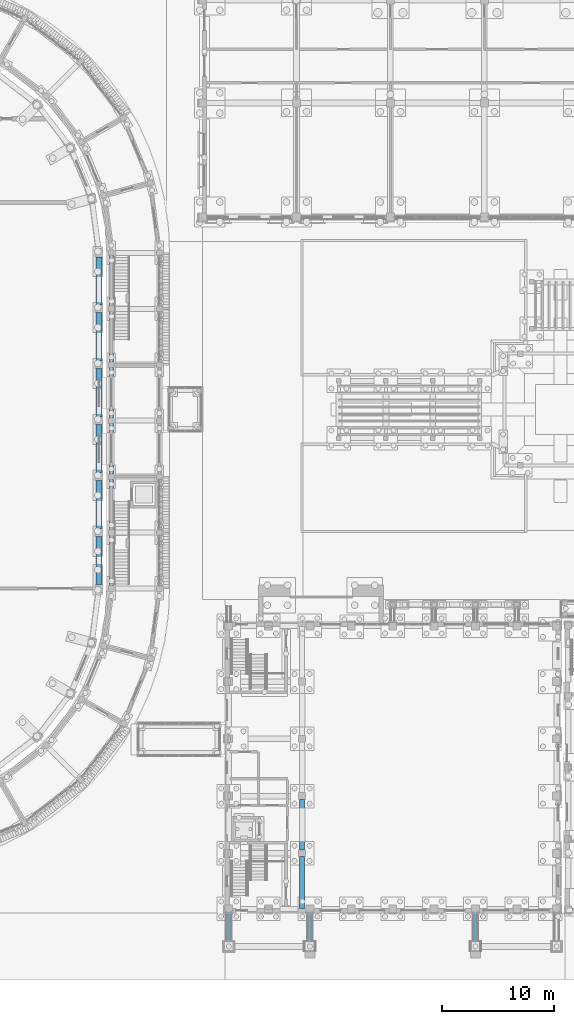
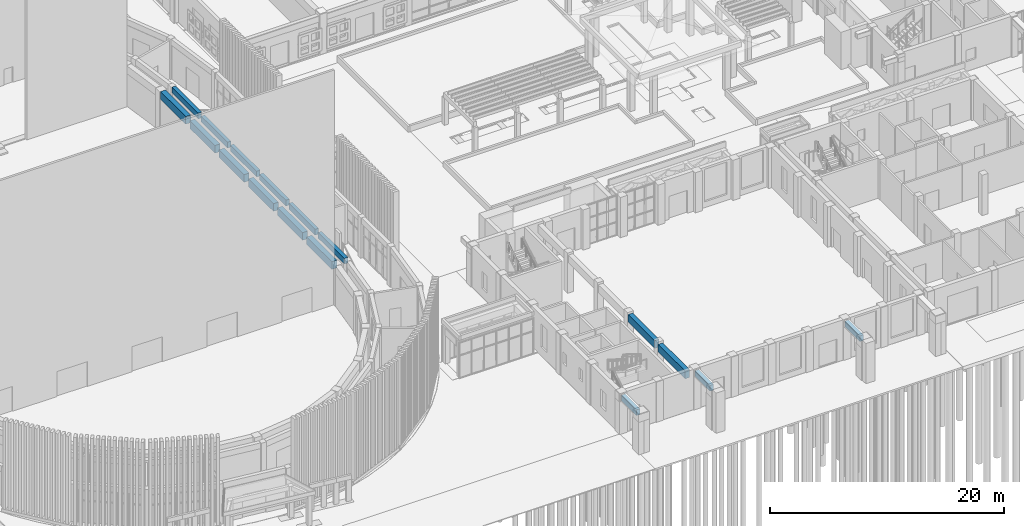
# One storey, part 21 of 112: 17 beams.
"""IFC4 building model written with IfcOpenShell, lengths in metres."""

from ifc_helpers import new_model, si_unit, direction, frame, origin, origin_2d, place, context, subcontext, project, spatial, rectangle, extrude, material, material_profile, profile_set, type_object, element, save


model = new_model("IFC4")

# Units and contexts
model_context = context("Model", 3, precision=1e-05, world=origin(), true_north=direction((0.0, 1.0)))
body_context = subcontext(model_context, "Body", "Model", "MODEL_VIEW")
ifc_project = project(units=[si_unit("LENGTHUNIT", "METRE"), si_unit("AREAUNIT", "SQUARE_METRE"), si_unit("VOLUMEUNIT", "CUBIC_METRE"), si_unit("PLANEANGLEUNIT", "RADIAN"), si_unit("MASSUNIT", "GRAM", prefix="KILO")], contexts=[model_context])

# Site, building, storey
site_placement = place(None, origin())
site = spatial("IfcSite", under=ifc_project, at=site_placement, CompositionType="ELEMENT")
building_placement = place(site_placement, origin())
building = spatial("IfcBuilding", under=site, at=building_placement, Name="Wasatch Bagh Community Centre", CompositionType="ELEMENT")
storey_placement = place(building_placement, origin())
storey = spatial("IfcBuildingStorey", under=building, at=storey_placement, Name="L00", CompositionType="ELEMENT", Elevation=0.0)

# Beams
ifc_material = material(Name="Concrete C35", Category="concrete")
ifc_material_profile_1 = material_profile(ifc_material, rectangle(XDim=0.35009765625, YDim=0.60009765625, at=origin_2d()), Name="RC 350x600")
ifc_profile_set_1 = profile_set([ifc_material_profile_1], Name="Concrete C35")
beam_type_1 = type_object("IfcBeamType", Name="CL-B4", PredefinedType="BEAM", material=ifc_profile_set_1)
for number, where, z_axis, x_axis, name in (
    (1, (66.35009765625, 6.0, 3.699951171875), (0.0, -1.0, 0.0), (1.0, 0.0, 0.0), "CL-B4 tie DHP1.1"),
    (2, (73.60009765625, 6.0, 3.699951171875), (0.0, -1.0, 0.0), (1.0, 0.0, 0.0), "CL-B4 tie DHP2.1"),
    (3, (88.39990234375, 6.0, 3.699951171875), (0.0, -1.0, 0.0), (1.0, 0.0, 0.0), "CL-B4 tie DHP3.1"),
):
    element("IfcBeam", number, at=place(storey_placement, frame(where, z_axis=z_axis, x_axis=x_axis)), inside=storey, type_object=beam_type_1, Name=name, PredefinedType="BEAM", context=body_context, shape_type="SweptSolid", body=[
        extrude(rectangle(XDim=0.35009765625, YDim=0.60009765625, at=origin_2d()), origin(), (0.0, 0.0, 1.0), 2.550048828125),
    ])
ifc_material_profile_2 = material_profile(ifc_material, rectangle(XDim=0.449951171875, YDim=0.800048828125, at=origin_2d()), Name="RC 450x800")
ifc_profile_set_2 = profile_set([ifc_material_profile_2], Name="Concrete C35")
beam_type_2 = type_object("IfcBeamType", Name="DH RC 450x800 beam", PredefinedType="BEAM", material=ifc_profile_set_2)
beam_1_placement = place(storey_placement, frame((72.89990234375, 6.39990234375, 3.580078125), z_axis=(0.0, 1.0, 0.0), x_axis=(-1.0, 0.0, 0.0)))
element("IfcBeam", 4, at=beam_1_placement, inside=storey, type_object=beam_type_2, Name="DH.beam.L00.gal1", PredefinedType="BEAM", context=body_context, shape_type="SweptSolid", body=[
    extrude(rectangle(XDim=0.449951171875, YDim=0.800048828125, at=origin_2d()), origin(), (0.0, 0.0, 1.0), 4.6201171875),
])
beam_2_placement = place(storey_placement, frame((72.89990234375, 11.6201171875, 3.580078125), z_axis=(0.0, 1.0, 0.0), x_axis=(-1.0, 0.0, 0.0)))
element("IfcBeam", 5, at=beam_2_placement, inside=storey, type_object=beam_type_2, Name="DH.beam.L00.gal2", PredefinedType="BEAM", context=body_context, shape_type="SweptSolid", body=[
    extrude(rectangle(XDim=0.449951171875, YDim=0.800048828125, at=origin_2d()), origin(), (0.0, 0.0, 1.0), 4.519775390625),
])
ifc_material_profile_3 = material_profile(ifc_material, rectangle(XDim=0.35009765625, YDim=0.60009765625, at=origin_2d()), Name="RC 350x600")
ifc_profile_set_3 = profile_set([ifc_material_profile_3], Name="Concrete C35")
beam_type_3 = type_object("IfcBeamType", Name="Drum ring beam RC 350x600", PredefinedType="BEAM", material=ifc_profile_set_3)
for number, where, z_axis, x_axis, name in (
    (6, (55.85009765625, 35.25048828125, 3.89990234375), (0.0, 1.0, 0.0), (-1.0, 0.0, 0.0), "Ring beam 4.2 DI-E1-DI-E2"),
    (7, (55.85009765625, 40.25048828125, 3.89990234375), (0.0, 1.0, 0.0), (-1.0, 0.0, 0.0), "Ring beam 4.2 DI-E2-DI-E3"),
    (8, (55.85009765625, 45.25048828125, 3.89990234375), (0.0, 1.0, 0.0), (-1.0, 0.0, 0.0), "Ring beam 4.2 DI-E3-DI-E4"),
    (9, (55.85009765625, 50.25048828125, 3.89990234375), (0.0, 1.0, 0.0), (-1.0, 0.0, 0.0), "Ring beam 4.2 DI-E4-DI-E5"),
    (10, (55.85009765625, 55.25048828125, 3.89990234375), (0.0, 1.0, 0.0), (-1.0, 0.0, 0.0), "Ring beam 4.2 DI-E5-DI-E6"),
    (11, (55.85009765625, 60.25048828125, 3.89990234375), (0.0, 1.0, 0.0), (-1.0, 0.0, 0.0), "Ring beam 4.2 DI-E6-DI-E7"),
):
    element("IfcBeam", number, at=place(storey_placement, frame(where, z_axis=z_axis, x_axis=x_axis)), inside=storey, type_object=beam_type_3, Name=name, PredefinedType="BEAM", context=body_context, shape_type="SweptSolid", body=[
        extrude(rectangle(XDim=0.35009765625, YDim=0.60009765625, at=origin_2d()), origin(), (0.0, 0.0, 1.0), 4.4990234375),
    ])
ifc_material_profile_4 = material_profile(ifc_material, rectangle(XDim=0.5, YDim=0.800048828125, at=origin_2d()), Name="RC 500x800")
ifc_profile_set_4 = profile_set([ifc_material_profile_4], Name="Concrete C35")
beam_type_4 = type_object("IfcBeamType", Name="MH ring beam RC 500x800", PredefinedType="BEAM", material=ifc_profile_set_4)
for number, where, z_axis, x_axis, name in (
    (12, (54.75, 35.3505859375, 3.800048828125), (0.0, 1.0, 0.0), (-1.0, 0.0, 0.0), "Ring beam 4.2 E1-E2"),
    (13, (54.75, 40.3505859375, 3.800048828125), (0.0, 1.0, 0.0), (-1.0, 0.0, 0.0), "Ring beam 4.2 E2-E3"),
    (14, (54.75, 45.3505859375, 3.800048828125), (0.0, 1.0, 0.0), (-1.0, 0.0, 0.0), "Ring beam 4.2 E3-E4"),
    (15, (54.75, 50.3505859375, 3.800048828125), (0.0, 1.0, 0.0), (-1.0, 0.0, 0.0), "Ring beam 4.2 E4-E5"),
    (16, (54.75, 55.3505859375, 3.800048828125), (0.0, 1.0, 0.0), (-1.0, 0.0, 0.0), "Ring beam 4.2 E5-E6"),
    (17, (54.75, 60.3505859375, 3.800048828125), (0.0, 1.0, 0.0), (-1.0, 0.0, 0.0), "Ring beam 4.2 E6-E7"),
):
    element("IfcBeam", number, at=place(storey_placement, frame(where, z_axis=z_axis, x_axis=x_axis)), inside=storey, type_object=beam_type_4, Name=name, PredefinedType="BEAM", context=body_context, shape_type="SweptSolid", body=[
        extrude(rectangle(XDim=0.5, YDim=0.800048828125, at=origin_2d()), origin(), (0.0, 0.0, 1.0), 4.298828125),
    ])

save(model, "model.ifc")
